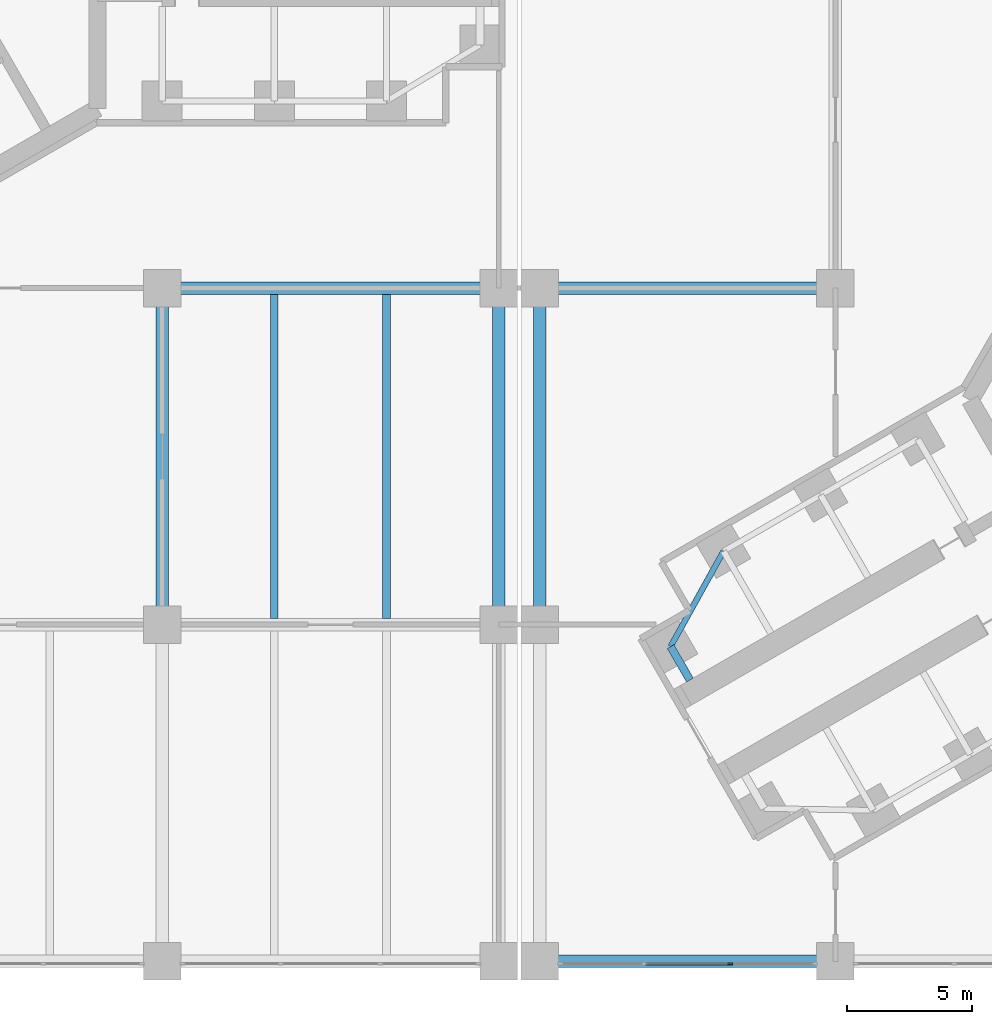
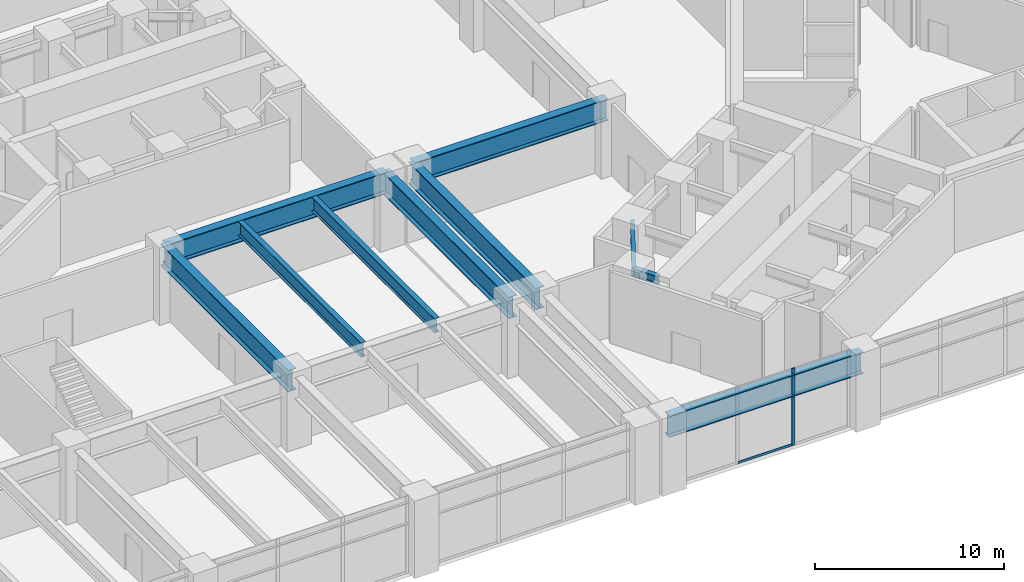
# One storey, part 5 of 32: 10 beams, 2 members, 1 element without a shape of its own.
"""IFC4 building model written with IfcOpenShell, lengths in metres."""

from ifc_helpers import new_model, si_unit, direction, frame, origin, origin_2d, place, context, subcontext, project, spatial, rectangle, i_section, extrude, material, material_profile, profile_set, type_object, element, aggregate, save


model = new_model("IFC4")

# Units and contexts
model_context = context("Model", 3, precision=1e-05, world=origin(), true_north=direction((0.0, 1.0)))
body_context = subcontext(model_context, "Body", "Model", "MODEL_VIEW")
ifc_project = project(units=[si_unit("LENGTHUNIT", "METRE"), si_unit("AREAUNIT", "SQUARE_METRE"), si_unit("VOLUMEUNIT", "CUBIC_METRE"), si_unit("PLANEANGLEUNIT", "RADIAN"), si_unit("MASSUNIT", "GRAM", prefix="KILO")], contexts=[model_context])

# Site, building, storey
site_placement = place(None, origin())
site = spatial("IfcSite", under=ifc_project, at=site_placement, CompositionType="ELEMENT")
building_placement = place(site_placement, origin())
building = spatial("IfcBuilding", under=site, at=building_placement, Name="Upepo Twin Towers", CompositionType="ELEMENT")
storey_placement = place(building_placement, frame((0.0, 0.0, 10.5)))
storey = spatial("IfcBuildingStorey", under=building, at=storey_placement, Name="L02", CompositionType="ELEMENT", Elevation=10.5)

# Beams
ifc_material_1 = material(Name="Steel S355", Category="steel")
ifc_material_profile_1 = material_profile(ifc_material_1, i_section(OverallWidth=0.5, OverallDepth=1.39990234375, WebThickness=0.02490234375, FlangeThickness=0.050048828125, FilletRadius=0.008056640625, at=origin_2d()), Name="PG 1400x500x25x50")
ifc_profile_set_1 = profile_set([ifc_material_profile_1], Name="Steel S355")
beam_type_1 = type_object("IfcBeamType", Name="Beam PG 1400x500x25x50", PredefinedType="BEAM", material=ifc_profile_set_1)
beam_1_placement = place(storey_placement, frame((28.64990234375, -40.5, 3.949951171875), z_axis=(1.0, 0.0, 0.0), x_axis=(0.0, 1.0, 0.0)))
element("IfcBeam", 1, at=beam_1_placement, inside=storey, type_object=beam_type_1, Name="Podium girder A/5a-6", PredefinedType="BEAM", context=body_context, shape_type="SweptSolid", body=[
    extrude(i_section(OverallWidth=0.5, OverallDepth=1.39990234375, WebThickness=0.02490234375, FlangeThickness=0.050048828125, FilletRadius=0.008056640625, at=origin_2d()), origin(), (0.0, 0.0, 1.0), 11.85009765625),
])
beam_2_placement = place(storey_placement, frame((13.5, -13.5, 3.949951171875), z_axis=(1.0, 0.0, 0.0), x_axis=(0.0, 1.0, 0.0)))
element("IfcBeam", 2, at=beam_2_placement, inside=storey, type_object=beam_type_1, Name="Podium girder C/4-5", PredefinedType="BEAM", context=body_context, shape_type="SweptSolid", body=[
    extrude(i_section(OverallWidth=0.5, OverallDepth=1.39990234375, WebThickness=0.02490234375, FlangeThickness=0.050048828125, FilletRadius=0.008056640625, at=origin_2d()), origin(), (0.0, 0.0, 1.0), 13.5),
])
beam_3_placement = place(storey_placement, frame((28.64990234375, -13.5, 3.949951171875), z_axis=(1.0, 0.0, 0.0), x_axis=(0.0, 1.0, 0.0)))
element("IfcBeam", 3, at=beam_3_placement, inside=storey, type_object=beam_type_1, Name="Podium girder C/5a-6", PredefinedType="BEAM", context=body_context, shape_type="SweptSolid", body=[
    extrude(i_section(OverallWidth=0.5, OverallDepth=1.39990234375, WebThickness=0.02490234375, FlangeThickness=0.050048828125, FilletRadius=0.008056640625, at=origin_2d()), origin(), (0.0, 0.0, 1.0), 11.85009765625),
])
for number, where, z_axis, x_axis, name in (
    (4, (13.5, -27.0, 3.949951171875), (0.0, 1.0, 0.0), (-1.0, 0.0, 0.0), "Podium girder 4/B-C"),
    (5, (27.0, -27.0, 3.949951171875), (0.0, 1.0, 0.0), (-1.0, 0.0, 0.0), "Podium girder 5/B-C"),
    (6, (28.64990234375, -27.0, 3.949951171875), (0.0, 1.0, 0.0), (-1.0, 0.0, 0.0), "Podium girder 5a/B-C"),
):
    element("IfcBeam", number, at=place(storey_placement, frame(where, z_axis=z_axis, x_axis=x_axis)), inside=storey, type_object=beam_type_1, Name=name, PredefinedType="BEAM", context=body_context, shape_type="SweptSolid", body=[
        extrude(i_section(OverallWidth=0.5, OverallDepth=1.39990234375, WebThickness=0.02490234375, FlangeThickness=0.050048828125, FilletRadius=0.008056640625, at=origin_2d()), origin(), (0.0, 0.0, 1.0), 13.5),
    ])
ifc_material_2 = material(Name="Steel S355", Category="steel")
ifc_material_profile_2 = material_profile(ifc_material_2, i_section(OverallWidth=0.31201171875, OverallDepth=0.54345703125, WebThickness=0.0126953125, FlangeThickness=0.020263671875, FilletRadius=0.0126953125, at=origin_2d()), Name="UB 533x312x150")
ifc_profile_set_2 = profile_set([ifc_material_profile_2], Name="Steel S355")
beam_type_2 = type_object("IfcBeamType", Name="Beam UB 533x312x150", PredefinedType="BEAM", material=ifc_profile_set_2)
beam_4_placement = place(storey_placement, frame((33.891845703125, -27.87744140625, 4.378173828125), z_axis=(0.499967891604, -0.866043940782, 0.0), x_axis=(0.866043940782, 0.499967891604, 0.0)))
element("IfcBeam", 7, at=beam_4_placement, inside=storey, type_object=beam_type_2, Name="T2 nose beam BR", PredefinedType="BEAM", context=body_context, shape_type="SweptSolid", body=[
    extrude(i_section(OverallWidth=0.31201171875, OverallDepth=0.54345703125, WebThickness=0.0126953125, FlangeThickness=0.020263671875, FilletRadius=0.0126953125, at=origin_2d()), origin(), (0.0, 0.0, 1.0), 1.5498046875),
])
ifc_material_3 = material(Name="Steel S355", Category="steel")
ifc_material_profile_3 = material_profile(ifc_material_3, i_section(OverallWidth=0.228271484375, OverallDepth=0.607666015625, WebThickness=0.010986328125, FlangeThickness=0.017333984375, FilletRadius=0.0126953125, at=origin_2d()), Name="UB 610x229x113")
ifc_profile_set_3 = profile_set([ifc_material_profile_3], Name="Steel S355")
beam_type_3 = type_object("IfcBeamType", Name="Beam UB 610x229x113", PredefinedType="BEAM", material=ifc_profile_set_3)
beam_5_placement = place(storey_placement, frame((36.014404296875, -24.053955078125, 4.34619140625), z_axis=(-0.485363242752, -0.874312600038, 0.0), x_axis=(0.874312600038, -0.485363242752, 0.0)))
element("IfcBeam", 8, at=beam_5_placement, inside=storey, type_object=beam_type_3, Name="T2 nose edge beam BR", PredefinedType="BEAM", context=body_context, shape_type="SweptSolid", body=[
    extrude(i_section(OverallWidth=0.228271484375, OverallDepth=0.607666015625, WebThickness=0.010986328125, FlangeThickness=0.017333984375, FilletRadius=0.0126953125, at=origin_2d()), origin(), (0.0, 0.0, 1.0), 4.373046875),
])

# Curtain wall, member
ifc_material_4 = material(Name="Aluminium and clear glass", Category="aluminium")
curtain_wall_type = type_object("IfcCurtainWallType", Name="Podium curtain wall PW1", PredefinedType="NOTDEFINED", material=ifc_material_4)
curtain_wall_placement = place(storey_placement, origin())
curtain_wall = element("IfcCurtainWall", 9, at=curtain_wall_placement, inside=storey, type_object=curtain_wall_type, Name="Podium L02 curtain wall S5", PredefinedType="NOTDEFINED")
ifc_material_5 = material(Name="Aluminium mullion", Category="aluminium")
ifc_material_profile_4 = material_profile(ifc_material_5, rectangle(XDim=0.06494140625, YDim=0.199951171875, at=origin_2d()), Name="MULLION 65x200 PODIUM")
ifc_profile_set_4 = profile_set([ifc_material_profile_4], Name="Aluminium mullion")
member_type_1 = type_object("IfcMemberType", Name="Mullion 65x200 PW1", PredefinedType="MULLION", material=ifc_profile_set_4)
member_1_placement = place(storey_placement, frame((36.288330078125, -40.60009765625, 0.0), z_axis=(0.0, 0.0, 1.0), x_axis=(0.0, 1.0, 0.0)))
member_1 = element("IfcMember", 10, at=member_1_placement, type_object=member_type_1, Name="Podium L02 curtain wall S5 mullion 3", PredefinedType="MULLION", context=body_context, shape_type="SweptSolid", body=[
    extrude(rectangle(XDim=0.06494140625, YDim=0.199951171875, at=origin_2d()), origin(), (0.0, 0.0, 1.0), 5.0),
])

# Beams
ifc_material_6 = material(Name="Steel S355", Category="steel")
ifc_material_profile_5 = material_profile(ifc_material_6, i_section(OverallWidth=0.305419921875, OverallDepth=0.91845703125, WebThickness=0.017333984375, FlangeThickness=0.02783203125, FilletRadius=0.01904296875, at=origin_2d()), Name="UB 914x305x253")
ifc_profile_set_5 = profile_set([ifc_material_profile_5], Name="Steel S355")
beam_type_4 = type_object("IfcBeamType", Name="Secondary beam UB 914x305x253", PredefinedType="JOIST", material=ifc_profile_set_5)
for number, where, z_axis, x_axis, name in (
    (11, (18.0, -26.75, 4.19091796875), (0.0, 1.0, 0.0), (-1.0, 0.0, 0.0), "Podium secondary beam B4.1"),
    (12, (22.5, -26.75, 4.19091796875), (0.0, 1.0, 0.0), (-1.0, 0.0, 0.0), "Podium secondary beam B4.2"),
):
    element("IfcBeam", number, at=place(storey_placement, frame(where, z_axis=z_axis, x_axis=x_axis)), inside=storey, type_object=beam_type_4, Name=name, PredefinedType="JOIST", context=body_context, shape_type="SweptSolid", body=[
        extrude(i_section(OverallWidth=0.305419921875, OverallDepth=0.91845703125, WebThickness=0.017333984375, FlangeThickness=0.02783203125, FilletRadius=0.01904296875, at=origin_2d()), origin(), (0.0, 0.0, 1.0), 13.0),
    ])

# Member
ifc_material_7 = material(Name="Aluminium transom", Category="aluminium")
ifc_material_profile_6 = material_profile(ifc_material_7, rectangle(XDim=0.06494140625, YDim=0.14990234375, at=origin_2d()), Name="TRANSOM 65x150 PODIUM")
ifc_profile_set_6 = profile_set([ifc_material_profile_6], Name="Aluminium transom")
member_type_2 = type_object("IfcMemberType", Name="Transom 65x150 PW1", PredefinedType="USERDEFINED", material=ifc_profile_set_6)
member_2_placement = place(storey_placement, frame((32.894287109375, -40.60009765625, 0.074951171875), z_axis=(1.0, 0.0, 0.0), x_axis=(0.0, 1.0, 0.0)))
member_2 = element("IfcMember", 13, at=member_2_placement, type_object=member_type_2, Name="Podium L02 curtain wall S5 transom 2", ObjectType="TRANSOM", PredefinedType="USERDEFINED", context=body_context, shape_type="SweptSolid", body=[
    extrude(rectangle(XDim=0.06494140625, YDim=0.14990234375, at=origin_2d()), origin(), (0.0, 0.0, 1.0), 3.361572265625),
])

aggregate(curtain_wall, [member_1, member_2])

save(model, "model.ifc")
